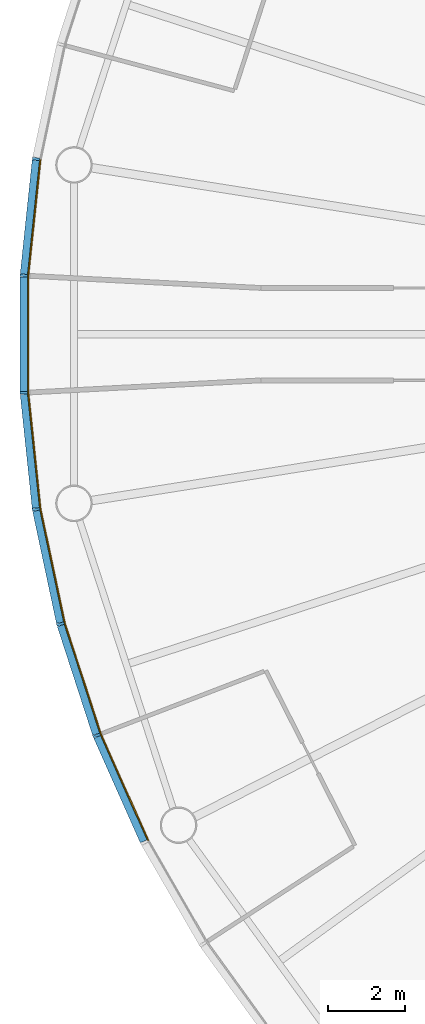
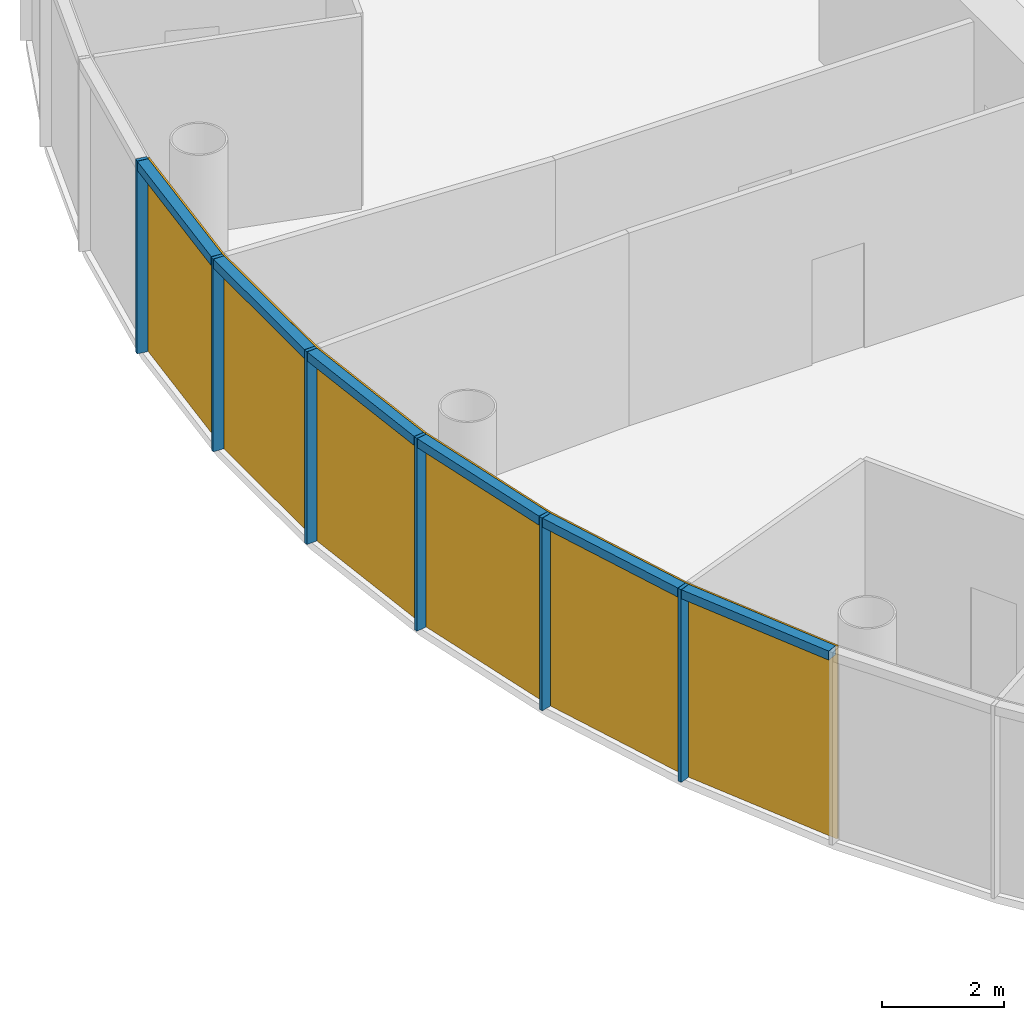
# One storey, part 8 of 13: 12 members, 2 curtain walls.
"""IFC4 building model written with IfcOpenShell, lengths in metres."""

from ifc_helpers import new_model, si_unit, direction, frame, origin, origin_2d, place, context, subcontext, project, spatial, polyline, rectangle, outline, extrude, material, layer, layer_set, material_profile, profile_set, type_object, element, aggregate, save


model = new_model("IFC4")

# Units and contexts
model_context = context("Model", 3, precision=1e-05, world=origin(), true_north=direction((0.0, 1.0)))
body_context = subcontext(model_context, "Body", "Model", "MODEL_VIEW")
ifc_project = project(units=[si_unit("LENGTHUNIT", "METRE"), si_unit("AREAUNIT", "SQUARE_METRE"), si_unit("VOLUMEUNIT", "CUBIC_METRE"), si_unit("PLANEANGLEUNIT", "RADIAN"), si_unit("MASSUNIT", "GRAM", prefix="KILO")], contexts=[model_context])

# Member
ifc_material_1 = material(Name="Anodised aluminium", Category="aluminium")
ifc_material_profile_1 = material_profile(ifc_material_1, rectangle(XDim=0.06494140625, YDim=0.195068359375, at=origin_2d()), Name="Mullion 65 x 195 mm anodised aluminium")
ifc_profile_set_1 = profile_set([ifc_material_profile_1], Name="Anodised aluminium")
member_type_1 = type_object("IfcMemberType", Name="Mullion 65 x 195 mm anodised aluminium", PredefinedType="MULLION", material=ifc_profile_set_1)
site_placement = place(None, origin())
building_placement = place(site_placement, origin())
storey_placement = place(building_placement, frame((0.0, 0.0, 318.0)))
member_1_placement = place(storey_placement, frame((61.2607421875, 84.5517578125, 0.0), z_axis=(0.0, 0.0, 1.0), x_axis=(-0.15643446504, -0.987688340595, 0.0)))
member_1 = element("IfcMember", 1, at=member_1_placement, type_object=member_type_1, Name="MULLION L73-27", PredefinedType="MULLION", context=body_context, shape_type="SweptSolid", body=[
    extrude(rectangle(XDim=0.06494140625, YDim=0.195068359375, at=origin_2d()), origin(), (0.0, 0.0, 1.0), 3.85009765625),
])

member_2_placement = place(storey_placement, frame((60.9423828125, 81.52294921875, 0.0), z_axis=(0.0, 0.0, 1.0), x_axis=(-0.052335956243, -0.998629534755, 0.0)))
member_2 = element("IfcMember", 2, at=member_2_placement, type_object=member_type_1, Name="MULLION L73-28", PredefinedType="MULLION", context=body_context, shape_type="SweptSolid", body=[
    extrude(rectangle(XDim=0.06494140625, YDim=0.195068359375, at=origin_2d()), origin(), (0.0, 0.0, 1.0), 3.85009765625),
])

member_3_placement = place(storey_placement, frame((60.9423828125, 78.47705078125, 0.0), z_axis=(0.0, 0.0, 1.0), x_axis=(0.052335956243, -0.998629534755, 0.0)))
member_3 = element("IfcMember", 3, at=member_3_placement, type_object=member_type_1, Name="MULLION L73-29", PredefinedType="MULLION", context=body_context, shape_type="SweptSolid", body=[
    extrude(rectangle(XDim=0.06494140625, YDim=0.195068359375, at=origin_2d()), origin(), (0.0, 0.0, 1.0), 3.85009765625),
])

member_4_placement = place(storey_placement, frame((61.2607421875, 75.4482421875, 0.0), z_axis=(0.0, 0.0, 1.0), x_axis=(0.15643446504, -0.987688340595, 0.0)))
member_4 = element("IfcMember", 4, at=member_4_placement, type_object=member_type_1, Name="MULLION L73-30", PredefinedType="MULLION", context=body_context, shape_type="SweptSolid", body=[
    extrude(rectangle(XDim=0.06494140625, YDim=0.195068359375, at=origin_2d()), origin(), (0.0, 0.0, 1.0), 3.85009765625),
])

member_5_placement = place(storey_placement, frame((61.89404296875, 72.468994140625, 0.0), z_axis=(0.0, 0.0, 1.0), x_axis=(0.258819045103, -0.965925826289, 0.0)))
member_5 = element("IfcMember", 5, at=member_5_placement, type_object=member_type_1, Name="MULLION L73-31", PredefinedType="MULLION", context=body_context, shape_type="SweptSolid", body=[
    extrude(rectangle(XDim=0.06494140625, YDim=0.195068359375, at=origin_2d()), origin(), (0.0, 0.0, 1.0), 3.85009765625),
])

member_6_placement = place(storey_placement, frame((62.835205078125, 69.572509765625, 0.0), z_axis=(0.0, 0.0, 1.0), x_axis=(0.358367949545, -0.933580426497, 0.0)))
member_6 = element("IfcMember", 6, at=member_6_placement, type_object=member_type_1, Name="MULLION L73-32", PredefinedType="MULLION", context=body_context, shape_type="SweptSolid", body=[
    extrude(rectangle(XDim=0.06494140625, YDim=0.195068359375, at=origin_2d()), origin(), (0.0, 0.0, 1.0), 3.85009765625),
])

ifc_material_2 = material(Name="Anodised aluminium", Category="aluminium")
ifc_material_profile_2 = material_profile(ifc_material_2, rectangle(XDim=0.195068359375, YDim=0.179931640625, at=origin_2d()), Name="Transom 180 x 195 mm anodised aluminium")
ifc_profile_set_2 = profile_set([ifc_material_profile_2], Name="Anodised aluminium")
member_type_2 = type_object("IfcMemberType", Name="Transom 180 x 195 mm anodised aluminium", PredefinedType="USERDEFINED", material=ifc_profile_set_2)
member_7_placement = place(storey_placement, frame((61.256591796875, 84.514404296875, 3.760009765625), z_axis=(-0.104466577987, -0.994528397827, 0.0), x_axis=(0.994528397827, -0.104466577987, 0.0)))
member_7 = element("IfcMember", 7, at=member_7_placement, type_object=member_type_2, Name="TRANSOM L73-27", ObjectType="TRANSOM", PredefinedType="USERDEFINED", context=body_context, shape_type="SweptSolid", body=[
    extrude(rectangle(XDim=0.195068359375, YDim=0.179931640625, at=origin_2d()), origin(), (0.0, 0.0, 1.0), 2.970458984375),
])

member_8_placement = place(storey_placement, frame((60.942138671875, 81.4853515625, 3.760009765625), z_axis=(0.0, -1.0, 0.0), x_axis=(1.0, 0.0, 0.0)))
member_8 = element("IfcMember", 8, at=member_8_placement, type_object=member_type_2, Name="TRANSOM L73-28", ObjectType="TRANSOM", PredefinedType="USERDEFINED", context=body_context, shape_type="SweptSolid", body=[
    extrude(rectangle(XDim=0.195068359375, YDim=0.179931640625, at=origin_2d()), origin(), (0.0, 0.0, 1.0), 2.970703125),
])

member_9_placement = place(storey_placement, frame((60.9462890625, 78.439697265625, 3.760009765625), z_axis=(0.104466577987, -0.994528397827, 0.0), x_axis=(0.994528397827, 0.104466577987, 0.0)))
member_9 = element("IfcMember", 9, at=member_9_placement, type_object=member_type_2, Name="TRANSOM L73-29", ObjectType="TRANSOM", PredefinedType="USERDEFINED", context=body_context, shape_type="SweptSolid", body=[
    extrude(rectangle(XDim=0.195068359375, YDim=0.179931640625, at=origin_2d()), origin(), (0.0, 0.0, 1.0), 2.970458984375),
])

member_10_placement = place(storey_placement, frame((61.268310546875, 75.411376953125, 3.760009765625), z_axis=(0.207940342877, -0.978141510112, 0.0), x_axis=(0.978141510112, 0.207940342877, 0.0)))
member_10 = element("IfcMember", 10, at=member_10_placement, type_object=member_type_2, Name="TRANSOM L73-30", ObjectType="TRANSOM", PredefinedType="USERDEFINED", context=body_context, shape_type="SweptSolid", body=[
    extrude(rectangle(XDim=0.195068359375, YDim=0.179931640625, at=origin_2d()), origin(), (0.0, 0.0, 1.0), 2.970458984375),
])

member_11_placement = place(storey_placement, frame((61.905517578125, 72.43310546875, 3.760009765625), z_axis=(0.309043326415, -0.951047960094, 0.0), x_axis=(0.951047960094, 0.309043326415, 0.0)))
member_11 = element("IfcMember", 11, at=member_11_placement, type_object=member_type_2, Name="TRANSOM L73-31", ObjectType="TRANSOM", PredefinedType="USERDEFINED", context=body_context, shape_type="SweptSolid", body=[
    extrude(rectangle(XDim=0.195068359375, YDim=0.179931640625, at=origin_2d()), origin(), (0.0, 0.0, 1.0), 2.970458984375),
])

member_12_placement = place(storey_placement, frame((62.850341796875, 69.5380859375, 3.760009765625), z_axis=(0.406725527369, -0.913550406593, 0.0), x_axis=(0.913550406593, 0.406725527369, 0.0)))
member_12 = element("IfcMember", 12, at=member_12_placement, type_object=member_type_2, Name="TRANSOM L73-32", ObjectType="TRANSOM", PredefinedType="USERDEFINED", context=body_context, shape_type="SweptSolid", body=[
    extrude(rectangle(XDim=0.195068359375, YDim=0.179931640625, at=origin_2d()), origin(), (0.0, 0.0, 1.0), 2.970703125),
])

# Site, building, storey
site = spatial("IfcSite", under=ifc_project, at=site_placement, CompositionType="ELEMENT")
building = spatial("IfcBuilding", under=site, at=building_placement, Name="Entoto Ring Tower", CompositionType="ELEMENT")
storey = spatial("IfcBuildingStorey", under=building, at=storey_placement, Name="L73", CompositionType="ELEMENT", Elevation=318.0)

# Curtain wall
ifc_material_3 = material(Name="Clear low-iron glass", Category="glass")
ifc_layer = layer(ifc_material_3, 0.033935546875)
ifc_layer_set = layer_set([ifc_layer], Name="Clear low-iron glass")
curtain_wall_type = type_object("IfcCurtainWallType", Name="Curtain wall system CW5 glazing 34 mm", PredefinedType="NOTDEFINED", material=ifc_layer_set)
curtain_wall_1_placement = place(storey_placement, origin())
curtain_wall_1 = element("IfcCurtainWall", 13, at=curtain_wall_1_placement, inside=storey, type_object=curtain_wall_type, Name="CW5 L73-10", PredefinedType="NOTDEFINED", context=body_context, shape_type="SweptSolid", body=[
    extrude(outline(polyline([(61.35693359375, 84.53662109375), (61.039794921875, 81.517822265625), (61.039794921875, 78.482177734375), (61.35693359375, 75.46337890625), (61.390625, 75.46875), (61.07373046875, 78.484130859375), (61.07373046875, 81.515869140625), (61.390625, 84.53125), (61.35693359375, 84.53662109375)])), origin(), (0.0, 0.0, 1.0), 3.85009765625),
])

aggregate(curtain_wall_1, [member_1, member_2, member_3, member_7, member_8, member_9])

curtain_wall_2_placement = place(storey_placement, origin())
curtain_wall_2 = element("IfcCurtainWall", 14, at=curtain_wall_2_placement, inside=storey, type_object=curtain_wall_type, Name="CW5 L73-11", PredefinedType="NOTDEFINED", context=body_context, shape_type="SweptSolid", body=[
    extrude(outline(polyline([(61.35693359375, 75.46337890625), (61.988037109375, 72.494140625), (62.92626953125, 69.607421875), (64.160888671875, 66.834228515625), (64.191162109375, 66.849853515625), (62.9580078125, 69.61962890625), (62.02099609375, 72.503173828125), (61.390625, 75.46875), (61.35693359375, 75.46337890625)])), origin(), (0.0, 0.0, 1.0), 3.85009765625),
])

aggregate(curtain_wall_2, [member_4, member_5, member_6, member_10, member_11, member_12])

save(model, "model.ifc")
